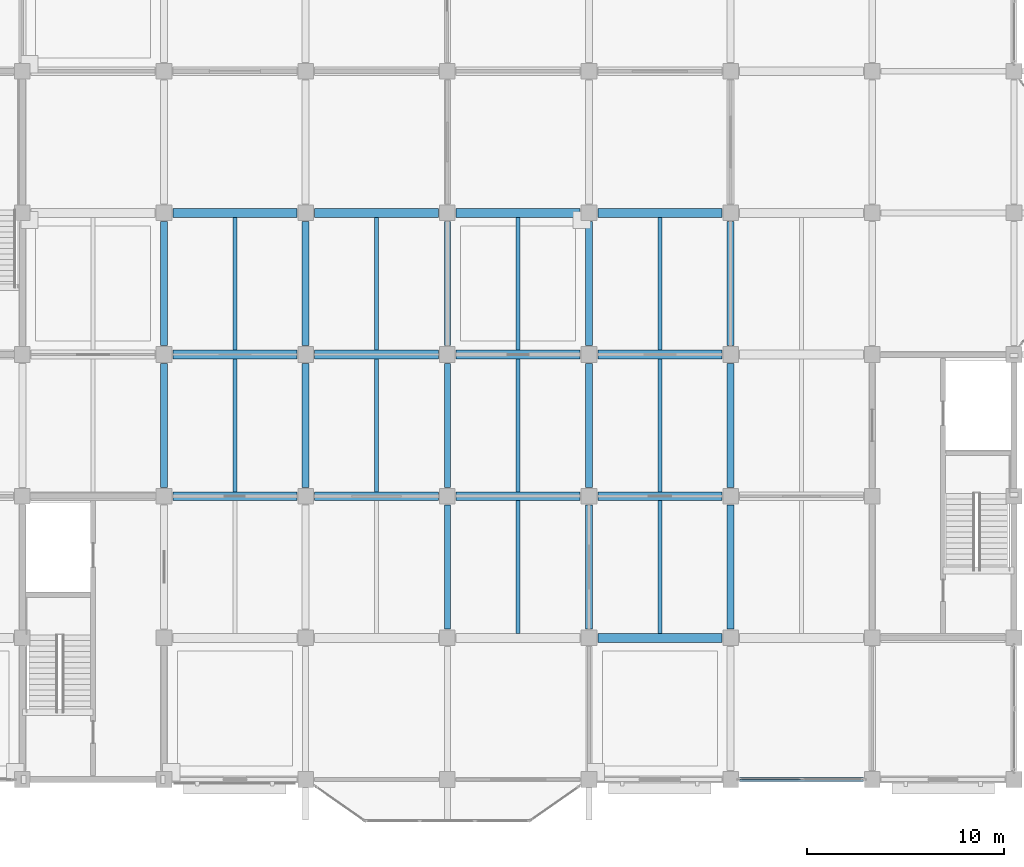
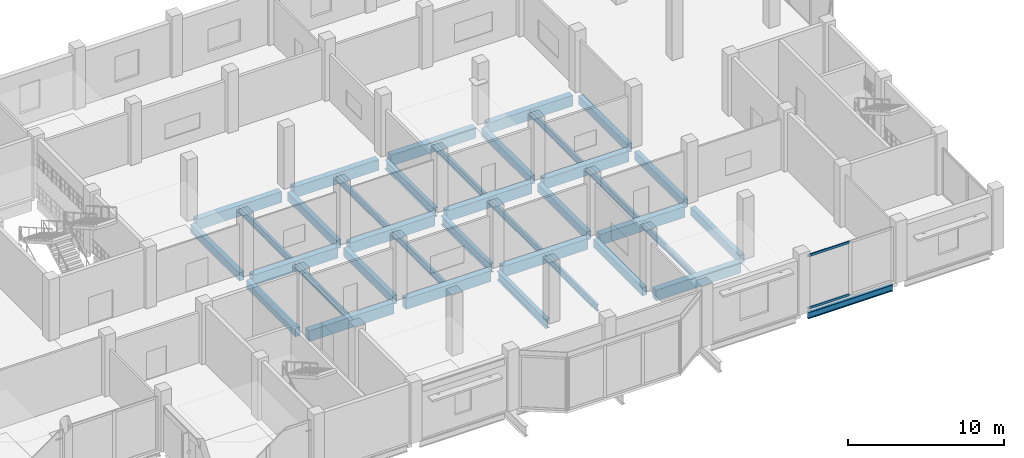
# One storey, part 44 of 99: 37 beams, 2 members, 1 element without a shape of its own.
"""IFC4 building model written with IfcOpenShell, lengths in metres."""

from ifc_helpers import new_model, si_unit, direction, frame, origin, origin_2d, place, context, subcontext, project, spatial, rectangle, hollow_rectangle, i_section, extrude, material, material_profile, profile_set, type_object, element, aggregate, save


model = new_model("IFC4")

# Units and contexts
model_context = context("Model", 3, precision=1e-05, world=origin(), true_north=direction((0.0, 1.0)))
body_context = subcontext(model_context, "Body", "Model", "MODEL_VIEW")
ifc_project = project(units=[si_unit("LENGTHUNIT", "METRE"), si_unit("AREAUNIT", "SQUARE_METRE"), si_unit("VOLUMEUNIT", "CUBIC_METRE"), si_unit("PLANEANGLEUNIT", "RADIAN"), si_unit("MASSUNIT", "GRAM", prefix="KILO")], contexts=[model_context])

# Site, building, storey
site_placement = place(None, origin())
site = spatial("IfcSite", under=ifc_project, at=site_placement, CompositionType="ELEMENT")
building_placement = place(site_placement, origin())
building = spatial("IfcBuilding", under=site, at=building_placement, Name="Vesperath Aquatics Centre", CompositionType="ELEMENT")
storey_placement = place(building_placement, frame((0.0, 0.0, 5.39990234375)))
storey = spatial("IfcBuildingStorey", under=building, at=storey_placement, Name="L01", CompositionType="ELEMENT", Elevation=5.39990234375)

# Beams
ifc_material_1 = material(Name="Concrete C35", Category="concrete")
ifc_material_profile_1 = material_profile(ifc_material_1, rectangle(XDim=0.449951171875, YDim=0.85009765625, at=origin_2d()), Name="RC 450x850")
ifc_profile_set_1 = profile_set([ifc_material_profile_1], Name="Concrete C35")
beam_type_1 = type_object("IfcBeamType", Name="BM-G03", PredefinedType="BEAM", material=ifc_profile_set_1)
for number, where, z_axis, x_axis, name in (
    (1, (130.050048828125, 14.39990234375, -0.684814453125), (1.0, 0.0, 0.0), (0.0, 1.0, 0.0), "Floor Girder B03 L01 C 19-20"),
    (2, (130.050048828125, 21.60009765625, -0.684814453125), (1.0, 0.0, 0.0), (0.0, 1.0, 0.0), "Floor Girder B03 L01 D 19-20"),
    (3, (130.050048828125, 28.800048828125, -0.684814453125), (1.0, 0.0, 0.0), (0.0, 1.0, 0.0), "Floor Girder B03 L01 E 19-20"),
    (4, (137.25, 14.39990234375, -0.684814453125), (1.0, 0.0, 0.0), (0.0, 1.0, 0.0), "Floor Girder B03 L01 C 20-21"),
    (5, (137.25, 21.60009765625, -0.684814453125), (1.0, 0.0, 0.0), (0.0, 1.0, 0.0), "Floor Girder B03 L01 D 20-21"),
    (6, (137.25, 28.800048828125, -0.684814453125), (1.0, 0.0, 0.0), (0.0, 1.0, 0.0), "Floor Girder B03 L01 E 20-21"),
    (7, (144.449951171875, 14.39990234375, -0.684814453125), (1.0, 0.0, 0.0), (0.0, 1.0, 0.0), "Floor Girder B03 L01 C 21-22"),
    (8, (144.449951171875, 21.60009765625, -0.684814453125), (1.0, 0.0, 0.0), (0.0, 1.0, 0.0), "Floor Girder B03 L01 D 21-22"),
    (9, (144.449951171875, 28.800048828125, -0.684814453125), (1.0, 0.0, 0.0), (0.0, 1.0, 0.0), "Floor Girder B03 L01 E 21-22"),
    (10, (151.64990234375, 7.199951171875, -0.684814453125), (1.0, 0.0, 0.0), (0.0, 1.0, 0.0), "Floor Girder B03 L01 B 22-23"),
    (11, (151.64990234375, 14.39990234375, -0.684814453125), (1.0, 0.0, 0.0), (0.0, 1.0, 0.0), "Floor Girder B03 L01 C 22-23"),
    (12, (151.64990234375, 21.60009765625, -0.684814453125), (1.0, 0.0, 0.0), (0.0, 1.0, 0.0), "Floor Girder B03 L01 D 22-23"),
    (13, (151.64990234375, 28.800048828125, -0.684814453125), (1.0, 0.0, 0.0), (0.0, 1.0, 0.0), "Floor Girder B03 L01 E 22-23"),
):
    element("IfcBeam", number, at=place(storey_placement, frame(where, z_axis=z_axis, x_axis=x_axis)), inside=storey, type_object=beam_type_1, Name=name, PredefinedType="BEAM", context=body_context, shape_type="SweptSolid", body=[
        extrude(rectangle(XDim=0.449951171875, YDim=0.85009765625, at=origin_2d()), origin(), (0.0, 0.0, 1.0), 6.300048828125),
    ])
ifc_material_profile_2 = material_profile(ifc_material_1, rectangle(XDim=0.35009765625, YDim=0.64990234375, at=origin_2d()), Name="RC 350x650")
ifc_profile_set_2 = profile_set([ifc_material_profile_2], Name="Concrete C35")
beam_type_2 = type_object("IfcBeamType", Name="BM-G05", PredefinedType="BEAM", material=ifc_profile_set_2)
beam_1_placement = place(storey_placement, frame((129.60009765625, 14.85009765625, -0.5849609375), z_axis=(0.0, 1.0, 0.0), x_axis=(-1.0, 0.0, 0.0)))
element("IfcBeam", 14, at=beam_1_placement, inside=storey, type_object=beam_type_2, Name="Floor Girder B05 L01 19 C-D", PredefinedType="BEAM", context=body_context, shape_type="SweptSolid", body=[
    extrude(rectangle(XDim=0.35009765625, YDim=0.64990234375, at=origin_2d()), origin(), (0.0, 0.0, 1.0), 6.2998046875),
])
beam_2_placement = place(storey_placement, frame((129.60009765625, 22.050048828125, -0.5849609375), z_axis=(0.0, 1.0, 0.0), x_axis=(-1.0, 0.0, 0.0)))
element("IfcBeam", 15, at=beam_2_placement, inside=storey, type_object=beam_type_2, Name="Floor Girder B05 L01 19 D-E", PredefinedType="BEAM", context=body_context, shape_type="SweptSolid", body=[
    extrude(rectangle(XDim=0.35009765625, YDim=0.64990234375, at=origin_2d()), origin(), (0.0, 0.0, 1.0), 6.300048828125),
])
beam_3_placement = place(storey_placement, frame((136.800048828125, 14.85009765625, -0.5849609375), z_axis=(0.0, 1.0, 0.0), x_axis=(-1.0, 0.0, 0.0)))
element("IfcBeam", 16, at=beam_3_placement, inside=storey, type_object=beam_type_2, Name="Floor Girder B05 L01 20 C-D", PredefinedType="BEAM", context=body_context, shape_type="SweptSolid", body=[
    extrude(rectangle(XDim=0.35009765625, YDim=0.64990234375, at=origin_2d()), origin(), (0.0, 0.0, 1.0), 6.2998046875),
])
for number, where, z_axis, x_axis, name in (
    (17, (136.800048828125, 22.050048828125, -0.5849609375), (0.0, 1.0, 0.0), (-1.0, 0.0, 0.0), "Floor Girder B05 L01 20 D-E"),
    (18, (151.199951171875, 7.64990234375, -0.5849609375), (0.0, 1.0, 0.0), (-1.0, 0.0, 0.0), "Floor Girder B05 L01 22 B-C"),
):
    element("IfcBeam", number, at=place(storey_placement, frame(where, z_axis=z_axis, x_axis=x_axis)), inside=storey, type_object=beam_type_2, Name=name, PredefinedType="BEAM", context=body_context, shape_type="SweptSolid", body=[
        extrude(rectangle(XDim=0.35009765625, YDim=0.64990234375, at=origin_2d()), origin(), (0.0, 0.0, 1.0), 6.300048828125),
    ])
beam_4_placement = place(storey_placement, frame((151.199951171875, 14.85009765625, -0.5849609375), z_axis=(0.0, 1.0, 0.0), x_axis=(-1.0, 0.0, 0.0)))
element("IfcBeam", 19, at=beam_4_placement, inside=storey, type_object=beam_type_2, Name="Floor Girder B05 L01 22 C-D", PredefinedType="BEAM", context=body_context, shape_type="SweptSolid", body=[
    extrude(rectangle(XDim=0.35009765625, YDim=0.64990234375, at=origin_2d()), origin(), (0.0, 0.0, 1.0), 6.2998046875),
])
for number, where, z_axis, x_axis, name in (
    (20, (151.199951171875, 22.050048828125, -0.5849609375), (0.0, 1.0, 0.0), (-1.0, 0.0, 0.0), "Floor Girder B05 L01 22 D-E"),
    (21, (158.39990234375, 7.64990234375, -0.5849609375), (0.0, 1.0, 0.0), (-1.0, 0.0, 0.0), "Floor Girder B05 L01 23 B-C"),
):
    element("IfcBeam", number, at=place(storey_placement, frame(where, z_axis=z_axis, x_axis=x_axis)), inside=storey, type_object=beam_type_2, Name=name, PredefinedType="BEAM", context=body_context, shape_type="SweptSolid", body=[
        extrude(rectangle(XDim=0.35009765625, YDim=0.64990234375, at=origin_2d()), origin(), (0.0, 0.0, 1.0), 6.300048828125),
    ])
beam_5_placement = place(storey_placement, frame((158.39990234375, 14.85009765625, -0.5849609375), z_axis=(0.0, 1.0, 0.0), x_axis=(-1.0, 0.0, 0.0)))
element("IfcBeam", 22, at=beam_5_placement, inside=storey, type_object=beam_type_2, Name="Floor Girder B05 L01 23 C-D", PredefinedType="BEAM", context=body_context, shape_type="SweptSolid", body=[
    extrude(rectangle(XDim=0.35009765625, YDim=0.64990234375, at=origin_2d()), origin(), (0.0, 0.0, 1.0), 6.2998046875),
])
beam_6_placement = place(storey_placement, frame((158.39990234375, 22.050048828125, -0.5849609375), z_axis=(0.0, 1.0, 0.0), x_axis=(-1.0, 0.0, 0.0)))
element("IfcBeam", 23, at=beam_6_placement, inside=storey, type_object=beam_type_2, Name="Floor Girder B05 L01 23 D-E", PredefinedType="BEAM", context=body_context, shape_type="SweptSolid", body=[
    extrude(rectangle(XDim=0.35009765625, YDim=0.64990234375, at=origin_2d()), origin(), (0.0, 0.0, 1.0), 6.300048828125),
])
ifc_material_2 = material(Name="Steel Q355C", Category="steel")
ifc_material_profile_3 = material_profile(ifc_material_2, i_section(OverallWidth=0.300048828125, OverallDepth=0.699951171875, WebThickness=0.012939453125, FlangeThickness=0.02392578125, FilletRadius=0.028076171875, at=origin_2d()), Name="HN 700x300x13x24")
ifc_profile_set_3 = profile_set([ifc_material_profile_3], Name="Steel Q355C")
beam_type_3 = type_object("IfcBeamType", Name="BM-G08", PredefinedType="BEAM", material=ifc_profile_set_3)
beam_7_placement = place(storey_placement, frame((144.0, 7.64990234375, -0.60986328125), z_axis=(0.0, 1.0, 0.0), x_axis=(-1.0, 0.0, 0.0)))
element("IfcBeam", 24, at=beam_7_placement, inside=storey, type_object=beam_type_3, Name="Floor Girder B08 L01 21 B-C", PredefinedType="BEAM", context=body_context, shape_type="SweptSolid", body=[
    extrude(i_section(OverallWidth=0.300048828125, OverallDepth=0.699951171875, WebThickness=0.012939453125, FlangeThickness=0.02392578125, FilletRadius=0.028076171875, at=origin_2d()), origin(), (0.0, 0.0, 1.0), 6.300048828125),
])
beam_8_placement = place(storey_placement, frame((144.0, 14.85009765625, -0.60986328125), z_axis=(0.0, 1.0, 0.0), x_axis=(-1.0, 0.0, 0.0)))
element("IfcBeam", 25, at=beam_8_placement, inside=storey, type_object=beam_type_3, Name="Floor Girder B08 L01 21 C-D", PredefinedType="BEAM", context=body_context, shape_type="SweptSolid", body=[
    extrude(i_section(OverallWidth=0.300048828125, OverallDepth=0.699951171875, WebThickness=0.012939453125, FlangeThickness=0.02392578125, FilletRadius=0.028076171875, at=origin_2d()), origin(), (0.0, 0.0, 1.0), 6.2998046875),
])
beam_9_placement = place(storey_placement, frame((144.0, 22.050048828125, -0.60986328125), z_axis=(0.0, 1.0, 0.0), x_axis=(-1.0, 0.0, 0.0)))
element("IfcBeam", 26, at=beam_9_placement, inside=storey, type_object=beam_type_3, Name="Floor Girder B08 L01 21 D-E", PredefinedType="BEAM", context=body_context, shape_type="SweptSolid", body=[
    extrude(i_section(OverallWidth=0.300048828125, OverallDepth=0.699951171875, WebThickness=0.012939453125, FlangeThickness=0.02392578125, FilletRadius=0.028076171875, at=origin_2d()), origin(), (0.0, 0.0, 1.0), 6.300048828125),
])
ifc_material_profile_4 = material_profile(ifc_material_2, i_section(OverallWidth=0.199951171875, OverallDepth=0.5, WebThickness=0.010009765625, FlangeThickness=0.01611328125, FilletRadius=0.02001953125, at=origin_2d()), Name="HN 500x200x10x16")
ifc_profile_set_4 = profile_set([ifc_material_profile_4], Name="Steel Q355C")
beam_type_4 = type_object("IfcBeamType", Name="BM-J02", PredefinedType="JOIST", material=ifc_profile_set_4)
for number, where, z_axis, x_axis, name in (
    (27, (133.199951171875, 14.625, -0.510009765625), (0.0, 1.0, 0.0), (-1.0, 0.0, 0.0), "Secondary Floor Joist J02 L01 19/C"),
    (28, (133.199951171875, 21.824951171875, -0.510009765625), (0.0, 1.0, 0.0), (-1.0, 0.0, 0.0), "Secondary Floor Joist J02 L01 19/D"),
    (29, (140.39990234375, 14.625, -0.510009765625), (0.0, 1.0, 0.0), (-1.0, 0.0, 0.0), "Secondary Floor Joist J02 L01 20/C"),
    (30, (140.39990234375, 21.824951171875, -0.510009765625), (0.0, 1.0, 0.0), (-1.0, 0.0, 0.0), "Secondary Floor Joist J02 L01 20/D"),
    (31, (147.60009765625, 7.425048828125, -0.510009765625), (0.0, 1.0, 0.0), (-1.0, 0.0, 0.0), "Secondary Floor Joist J02 L01 21/B"),
    (32, (147.60009765625, 14.625, -0.510009765625), (0.0, 1.0, 0.0), (-1.0, 0.0, 0.0), "Secondary Floor Joist J02 L01 21/C"),
    (33, (147.60009765625, 21.824951171875, -0.510009765625), (0.0, 1.0, 0.0), (-1.0, 0.0, 0.0), "Secondary Floor Joist J02 L01 21/D"),
    (34, (154.800048828125, 7.425048828125, -0.510009765625), (0.0, 1.0, 0.0), (-1.0, 0.0, 0.0), "Secondary Floor Joist J02 L01 22/B"),
    (35, (154.800048828125, 14.625, -0.510009765625), (0.0, 1.0, 0.0), (-1.0, 0.0, 0.0), "Secondary Floor Joist J02 L01 22/C"),
    (36, (154.800048828125, 21.824951171875, -0.510009765625), (0.0, 1.0, 0.0), (-1.0, 0.0, 0.0), "Secondary Floor Joist J02 L01 22/D"),
):
    element("IfcBeam", number, at=place(storey_placement, frame(where, z_axis=z_axis, x_axis=x_axis)), inside=storey, type_object=beam_type_4, Name=name, PredefinedType="JOIST", context=body_context, shape_type="SweptSolid", body=[
        extrude(i_section(OverallWidth=0.199951171875, OverallDepth=0.5, WebThickness=0.010009765625, FlangeThickness=0.01611328125, FilletRadius=0.02001953125, at=origin_2d()), origin(), (0.0, 0.0, 1.0), 6.75),
    ])
ifc_material_3 = material(Name="Steel Q355D", Category="steel")
ifc_material_profile_5 = material_profile(ifc_material_3, i_section(OverallWidth=0.199951171875, OverallDepth=0.5, WebThickness=0.010009765625, FlangeThickness=0.01611328125, FilletRadius=0.02001953125, at=origin_2d()), Name="HN 500x200x10x16")
ifc_profile_set_5 = profile_set([ifc_material_profile_5], Name="Steel Q355D")
beam_type_5 = type_object("IfcBeamType", Name="BM-SP01", PredefinedType="SPANDREL", material=ifc_profile_set_5)
beam_10_placement = place(storey_placement, frame((158.85009765625, 0.0, -0.510009765625), z_axis=(1.0, 0.0, 0.0), x_axis=(0.0, 1.0, 0.0)))
element("IfcBeam", 37, at=beam_10_placement, inside=storey, type_object=beam_type_5, Name="Floor Girder SP01 L01 A 23-24", PredefinedType="SPANDREL", context=body_context, shape_type="SweptSolid", body=[
    extrude(i_section(OverallWidth=0.199951171875, OverallDepth=0.5, WebThickness=0.010009765625, FlangeThickness=0.01611328125, FilletRadius=0.02001953125, at=origin_2d()), origin(), (0.0, 0.0, 1.0), 6.2998046875),
])

# Curtain wall, members
ifc_material_4 = material(Name="Thermally broken anodised bronze aluminium curtain wall", Category="aluminium")
curtain_wall_type = type_object("IfcCurtainWallType", Name="CW-02", PredefinedType="NOTDEFINED", material=ifc_material_4)
curtain_wall_placement = place(storey_placement, origin())
curtain_wall = element("IfcCurtainWall", 38, at=curtain_wall_placement, inside=storey, type_object=curtain_wall_type, Name="Facade Curtain Wall CW02 L01_S_22_00", PredefinedType="NOTDEFINED")
ifc_material_5 = material(Name="Thermally broken anodised aluminium", Category="aluminium")
ifc_material_profile_6 = material_profile(ifc_material_5, hollow_rectangle(XDim=0.074951171875, YDim=0.179931640625, WallThickness=0.0048828125, at=origin_2d()), Name="CWT 75x180x5")
ifc_profile_set_6 = profile_set([ifc_material_profile_6], Name="Thermally broken anodised aluminium")
member_type = type_object("IfcMemberType", Name="MB-CWT1", PredefinedType="USERDEFINED", material=ifc_profile_set_6)
member_1_placement = place(storey_placement, frame((158.875, 0.0, 0.03759765625), z_axis=(1.0, 0.0, 0.0), x_axis=(0.0, 1.0, 0.0)))
member_1 = element("IfcMember", 39, at=member_1_placement, type_object=member_type, Name="CW02 transom 1.1", ObjectType="TRANSOM", PredefinedType="USERDEFINED", context=body_context, shape_type="SweptSolid", body=[
    extrude(hollow_rectangle(XDim=0.074951171875, YDim=0.179931640625, WallThickness=0.0048828125, at=origin_2d()), origin(), (0.0, 0.0, 1.0), 3.08740234375),
])
member_2_placement = place(storey_placement, frame((158.875, 0.0, 4.152587890625), z_axis=(1.0, 0.0, 0.0), x_axis=(0.0, 1.0, 0.0)))
member_2 = element("IfcMember", 40, at=member_2_placement, type_object=member_type, Name="CW02 transom 1.2", ObjectType="TRANSOM", PredefinedType="USERDEFINED", context=body_context, shape_type="SweptSolid", body=[
    extrude(hollow_rectangle(XDim=0.074951171875, YDim=0.179931640625, WallThickness=0.0048828125, at=origin_2d()), origin(), (0.0, 0.0, 1.0), 3.08740234375),
])
aggregate(curtain_wall, [member_1, member_2])

save(model, "model.ifc")
